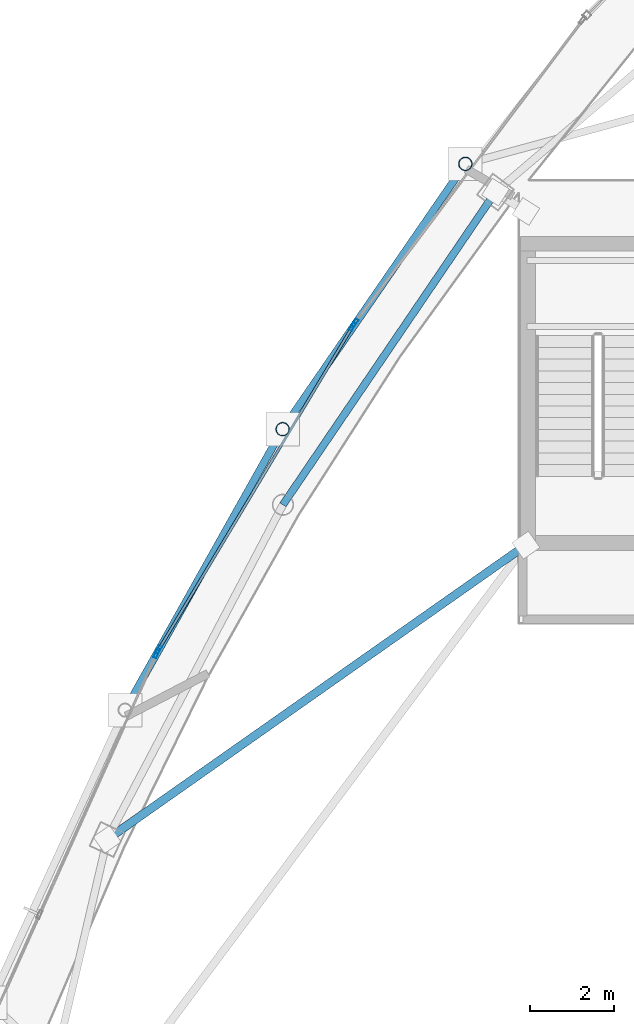
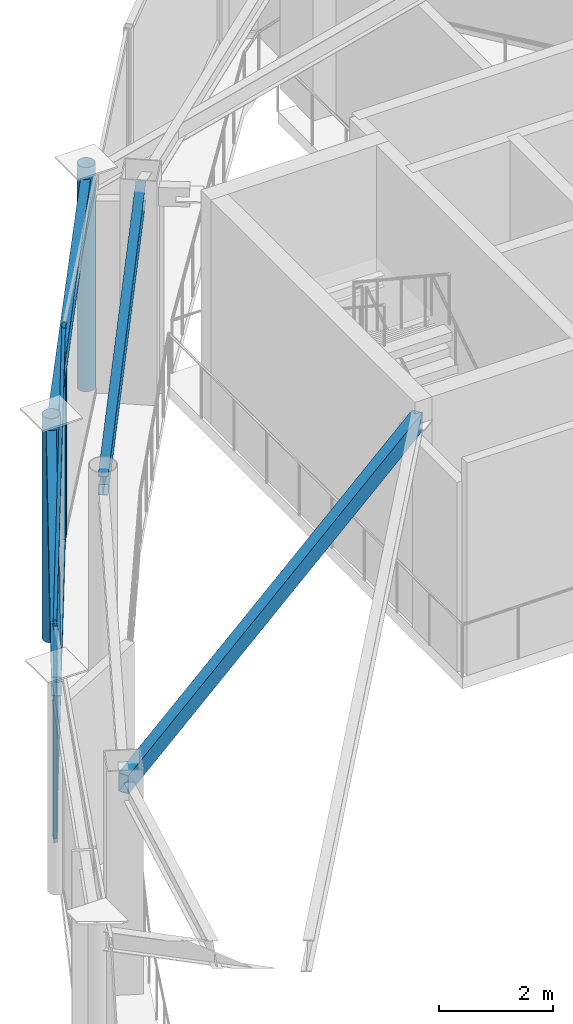
# One storey, part 8 of 20: 9 members, 3 beams, 3 elements without a shape of their own.
"""IFC4 building model written with IfcOpenShell, lengths in metres."""

from ifc_helpers import new_model, si_unit, direction, frame, origin, origin_2d, place, context, subcontext, project, spatial, hollow_rectangle, hollow_circle, i_section, extrude, material, layer, layer_set, material_profile, profile_set, type_object, element, aggregate, save


model = new_model("IFC4")

# Units and contexts
model_context = context("Model", 3, precision=1e-05, world=origin(), true_north=direction((0.0, 1.0)))
body_context = subcontext(model_context, "Body", "Model", "MODEL_VIEW")
ifc_project = project(units=[si_unit("LENGTHUNIT", "METRE"), si_unit("AREAUNIT", "SQUARE_METRE"), si_unit("VOLUMEUNIT", "CUBIC_METRE"), si_unit("PLANEANGLEUNIT", "RADIAN"), si_unit("MASSUNIT", "GRAM", prefix="KILO")], contexts=[model_context])

# Site, building, storey
site_placement = place(None, origin())
site = spatial("IfcSite", under=ifc_project, at=site_placement, CompositionType="ELEMENT")
building_placement = place(site_placement, origin())
building = spatial("IfcBuilding", under=site, at=building_placement, Name="Orvanel Arch Residences", CompositionType="ELEMENT")
storey_placement = place(building_placement, frame((0.0, 0.0, 300.5)))
storey = spatial("IfcBuildingStorey", under=building, at=storey_placement, Name="L84", CompositionType="ELEMENT", Elevation=300.5)

# Curtain wall, member
ifc_material_1 = material(Name="Bronze-anodised aluminium AA6063-T6", Category="aluminium")
ifc_layer = layer(ifc_material_1, 0.2099609375)
ifc_layer_set = layer_set([ifc_layer], Name="Bronze-anodised aluminium AA6063-T6")
curtain_wall_type = type_object("IfcCurtainWallType", Name="CW7-TOP-SYS", PredefinedType="NOTDEFINED", material=ifc_layer_set)
curtain_wall_1_placement = place(storey_placement, origin())
curtain_wall_1 = element("IfcCurtainWall", 1, at=curtain_wall_1_placement, inside=storey, type_object=curtain_wall_type, Name="L84 CW7-TOP-SYS Unitised Curtain Wall", PredefinedType="NOTDEFINED")
ifc_material_profile_1 = material_profile(ifc_material_1, hollow_rectangle(XDim=0.074951171875, YDim=0.199951171875, WallThickness=0.0048828125, at=origin_2d()), Name="ALU200x75x5")
ifc_profile_set_1 = profile_set([ifc_material_profile_1], Name="Bronze-anodised aluminium AA6063-T6")
member_type_1 = type_object("IfcMemberType", Name="MUL-200x75", PredefinedType="MULLION", material=ifc_profile_set_1)
member_1_placement = place(storey_placement, frame((22.29052734375, 31.988037109375, 0.0), z_axis=(0.0, 0.0, 1.0), x_axis=(0.799341985759, -0.600876351509, 0.0)))
member_1 = element("IfcMember", 2, at=member_1_placement, type_object=member_type_1, Name="CW-S7 mullion 2", PredefinedType="MULLION", context=body_context, shape_type="SweptSolid", body=[
    extrude(hollow_rectangle(XDim=0.074951171875, YDim=0.199951171875, WallThickness=0.0048828125, at=origin_2d()), origin(), (0.0, 0.0, 1.0), 4.550048828125),
])
aggregate(curtain_wall_1, [member_1])

# Curtain wall, members
curtain_wall_2_placement = place(storey_placement, origin())
curtain_wall_2 = element("IfcCurtainWall", 3, at=curtain_wall_2_placement, inside=storey, type_object=curtain_wall_type, Name="L84 CW7-TOP-SYS Unitised Curtain Wall", PredefinedType="NOTDEFINED")
member_2_placement = place(storey_placement, frame((22.226806640625, 31.892822265625, 0.0), z_axis=(0.0, 0.0, 1.0), x_axis=(0.857522096821, -0.514447133788, 0.0)))
member_2 = element("IfcMember", 4, at=member_2_placement, type_object=member_type_1, Name="CW-S7 mullion 1", PredefinedType="MULLION", context=body_context, shape_type="SweptSolid", body=[
    extrude(hollow_rectangle(XDim=0.074951171875, YDim=0.199951171875, WallThickness=0.0048828125, at=origin_2d()), origin(), (0.0, 0.0, 1.0), 4.550048828125),
])
member_3_placement = place(storey_placement, frame((17.597412109375, 24.17626953125, 0.0), z_axis=(0.0, 0.0, 1.0), x_axis=(0.857522096821, -0.514447133788, 0.0)))
member_3 = element("IfcMember", 5, at=member_3_placement, type_object=member_type_1, Name="CW-S7 mullion 2", PredefinedType="MULLION", context=body_context, shape_type="SweptSolid", body=[
    extrude(hollow_rectangle(XDim=0.074951171875, YDim=0.199951171875, WallThickness=0.0048828125, at=origin_2d()), origin(), (0.0, 0.0, 1.0), 4.550048828125),
])

# Curtain wall, member
curtain_wall_3_placement = place(storey_placement, origin())
curtain_wall_3 = element("IfcCurtainWall", 6, at=curtain_wall_3_placement, inside=storey, type_object=curtain_wall_type, Name="L84 CW7-TOP-SYS Unitised Curtain Wall", PredefinedType="NOTDEFINED")
member_4_placement = place(storey_placement, frame((17.544677734375, 24.07470703125, 0.0), z_axis=(0.0, 0.0, 1.0), x_axis=(0.912376147447, -0.40935286193, 0.0)))
member_4 = element("IfcMember", 7, at=member_4_placement, type_object=member_type_1, Name="CW-S7 mullion 1", PredefinedType="MULLION", context=body_context, shape_type="SweptSolid", body=[
    extrude(hollow_rectangle(XDim=0.074951171875, YDim=0.199951171875, WallThickness=0.0048828125, at=origin_2d()), origin(), (0.0, 0.0, 1.0), 4.550048828125),
])
aggregate(curtain_wall_3, [member_4])

# Beams
ifc_material_2 = material(Name="Structural steel AS/NZS 3679.1 Grade 300 (300 MPa)", Category="steel")
ifc_material_profile_2 = material_profile(ifc_material_2, i_section(OverallWidth=0.177978515625, OverallDepth=0.406005859375, WebThickness=0.0078125, FlangeThickness=0.0126953125, at=origin_2d()), Name="410UB59.7")
ifc_profile_set_2 = profile_set([ifc_material_profile_2], Name="Structural steel AS/NZS 3679.1 Grade 300 (300 MPa)")
beam_type_1 = type_object("IfcBeamType", Name="OB-410UB", PredefinedType="SPANDREL", material=ifc_profile_set_2)
beam_1_placement = place(storey_placement, frame((25.64794921875, 35.113037109375, 4.346923828125), z_axis=(-0.562154793153, -0.827032035978, 0.0), x_axis=(0.827032035978, -0.562154793153, 0.0)))
element("IfcBeam", 8, at=beam_1_placement, inside=storey, type_object=beam_type_1, Name="L84 Perimeter Spandrel Beam 11", PredefinedType="SPANDREL", context=body_context, shape_type="SweptSolid", body=[
    extrude(i_section(OverallWidth=0.177978515625, OverallDepth=0.406005859375, WebThickness=0.0078125, FlangeThickness=0.0126953125, at=origin_2d()), origin(), (0.0, 0.0, 1.0), 9.03466796875),
])
ifc_material_profile_3 = material_profile(ifc_material_2, i_section(OverallWidth=0.177978515625, OverallDepth=0.406005859375, WebThickness=0.0078125, FlangeThickness=0.0126953125, at=origin_2d()), Name="410UB59.7")
ifc_profile_set_3 = profile_set([ifc_material_profile_3], Name="Structural steel AS/NZS 3679.1 Grade 300 (300 MPa)")
beam_type_2 = type_object("IfcBeamType", Name="OB-410UB-EXT", PredefinedType="SPANDREL", material=ifc_profile_set_3)
beam_2_placement = place(storey_placement, frame((24.929931640625, 35.785888671875, 4.346923828125), z_axis=(-0.567346812798, -0.823478957842, 0.0), x_axis=(0.823478957842, -0.567346812798, 0.0)))
element("IfcBeam", 9, at=beam_2_placement, inside=storey, type_object=beam_type_2, Name="L84 Outer Perimeter Floor Ring Beam 01", PredefinedType="SPANDREL", context=body_context, shape_type="SweptSolid", body=[
    extrude(i_section(OverallWidth=0.177978515625, OverallDepth=0.406005859375, WebThickness=0.0078125, FlangeThickness=0.0126953125, at=origin_2d()), origin(), (0.0, 0.0, 1.0), 7.698974609375),
])
beam_3_placement = place(storey_placement, frame((20.56201171875, 29.446044921875, 4.346923828125), z_axis=(-0.489422203707, -0.872046963482, 0.0), x_axis=(0.872046963482, -0.489422203707, 0.0)))
element("IfcBeam", 10, at=beam_3_placement, inside=storey, type_object=beam_type_2, Name="L84 Outer Perimeter Floor Ring Beam 02", PredefinedType="SPANDREL", context=body_context, shape_type="SweptSolid", body=[
    extrude(i_section(OverallWidth=0.177978515625, OverallDepth=0.406005859375, WebThickness=0.0078125, FlangeThickness=0.0126953125, at=origin_2d()), origin(), (0.0, 0.0, 1.0), 7.697021484375),
])

# Members
ifc_material_3 = material(Name="Structural steel AS/NZS 1163 C350L0 (Grade 350)", Category="steel")
ifc_material_profile_4 = material_profile(ifc_material_3, hollow_rectangle(XDim=0.199951171875, YDim=0.39990234375, WallThickness=0.012451171875, at=origin_2d()), Name="RHS400x200x12.5")
ifc_profile_set_4 = profile_set([ifc_material_profile_4], Name="Structural steel AS/NZS 1163 C350L0 (Grade 350)")
member_type_2 = type_object("IfcMemberType", Name="RF-400RHS", PredefinedType="RAFTER", material=ifc_profile_set_4)
member_5_placement = place(storey_placement, frame((26.375, 26.675048828125, 4.300048828125), z_axis=(-0.818181292645, -0.574960322427, 0.0), x_axis=(0.574960322427, -0.818181292645, 0.0)))
element("IfcMember", 11, at=member_5_placement, inside=storey, type_object=member_type_2, Name="L84 Winter-Garden Conservatory Gallery Rafter 01", PredefinedType="RAFTER", context=body_context, shape_type="SweptSolid", body=[
    extrude(hollow_rectangle(XDim=0.199951171875, YDim=0.39990234375, WallThickness=0.012451171875, at=origin_2d()), origin(), (0.0, 0.0, 1.0), 12.232177734375),
])
ifc_material_profile_5 = material_profile(ifc_material_3, hollow_circle(Radius=0.162109375, WallThickness=0.0126953125, at=origin_2d()), Name="CHS324x12.7")
ifc_profile_set_5 = profile_set([ifc_material_profile_5], Name="Structural steel AS/NZS 1163 C350L0 (Grade 350)")
member_type_3 = type_object("IfcMemberType", Name="ST-324CHS-EXT", PredefinedType="STRUT", material=ifc_profile_set_5)
for number, where, z_axis, x_axis, name in (
    (12, (24.929931640625, 35.785888671875, 0.0), (0.0, 0.0, 1.0), (1.0, 0.0, 0.0), "L84 Outer Perimeter Frame Post 01"),
    (13, (20.56201171875, 29.446044921875, 0.0), (0.0, 0.0, 1.0), (1.0, 0.0, 0.0), "L84 Outer Perimeter Frame Post 02"),
):
    element("IfcMember", number, at=place(storey_placement, frame(where, z_axis=z_axis, x_axis=x_axis)), inside=storey, type_object=member_type_3, Name=name, PredefinedType="STRUT", context=body_context, shape_type="SweptSolid", body=[
        extrude(hollow_circle(Radius=0.162109375, WallThickness=0.0126953125, at=origin_2d()), origin(), (0.0, 0.0, 1.0), 4.800048828125),
    ])

# Member
ifc_material_profile_6 = material_profile(ifc_material_1, hollow_rectangle(XDim=0.06494140625, YDim=0.14990234375, WallThickness=0.00390625, at=origin_2d()), Name="ALU150x65x4")
ifc_profile_set_6 = profile_set([ifc_material_profile_6], Name="Bronze-anodised aluminium AA6063-T6")
member_type_4 = type_object("IfcMemberType", Name="TRN-150x65", PredefinedType="USERDEFINED", material=ifc_profile_set_6)
member_6_placement = place(storey_placement, frame((22.20751953125, 31.860595703125, 0.032470703125), z_axis=(-0.514447475071, -0.857521892078, 0.0), x_axis=(0.857521892078, -0.514447475071, 0.0)))
member_6 = element("IfcMember", 14, at=member_6_placement, type_object=member_type_4, Name="CW-S7 transom 1.1", ObjectType="TRANSOM", PredefinedType="USERDEFINED", context=body_context, shape_type="SweptSolid", body=[
    extrude(hollow_rectangle(XDim=0.06494140625, YDim=0.14990234375, WallThickness=0.00390625, at=origin_2d()), origin(), (0.0, 0.0, 1.0), 8.923828125),
])

member_7_placement = place(storey_placement, frame((22.20751953125, 31.860595703125, 4.517578125), z_axis=(-0.514447475071, -0.857521892078, 0.0), x_axis=(0.857521892078, -0.514447475071, 0.0)))
member_7 = element("IfcMember", 15, at=member_7_placement, type_object=member_type_4, Name="CW-S7 transom 1.2", ObjectType="TRANSOM", PredefinedType="USERDEFINED", context=body_context, shape_type="SweptSolid", body=[
    extrude(hollow_rectangle(XDim=0.06494140625, YDim=0.14990234375, WallThickness=0.00390625, at=origin_2d()), origin(), (0.0, 0.0, 1.0), 8.923828125),
])

aggregate(curtain_wall_2, [member_2, member_3, member_6, member_7])

save(model, "model.ifc")
